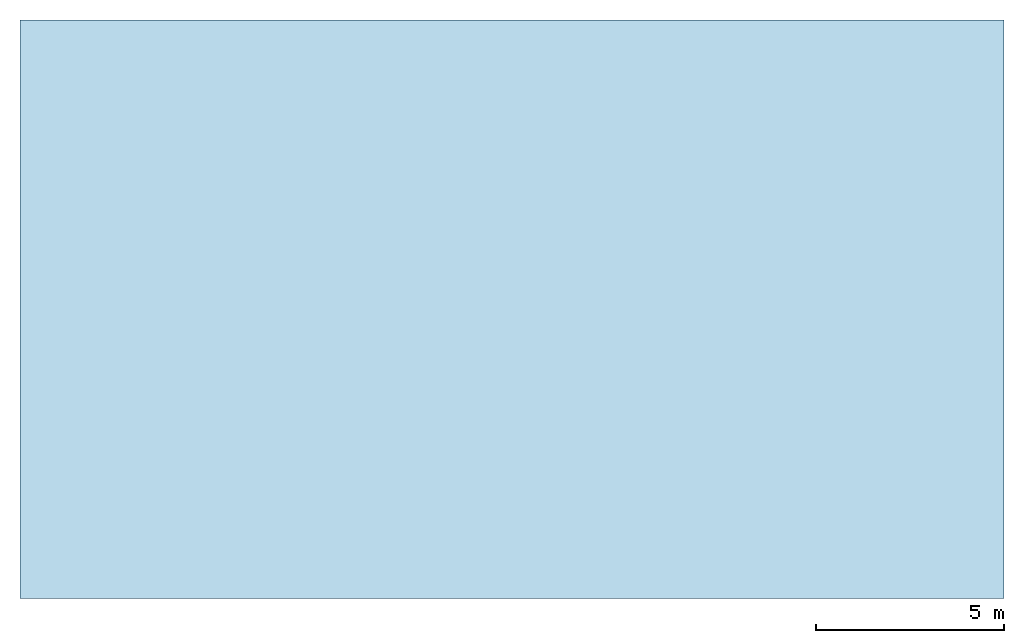
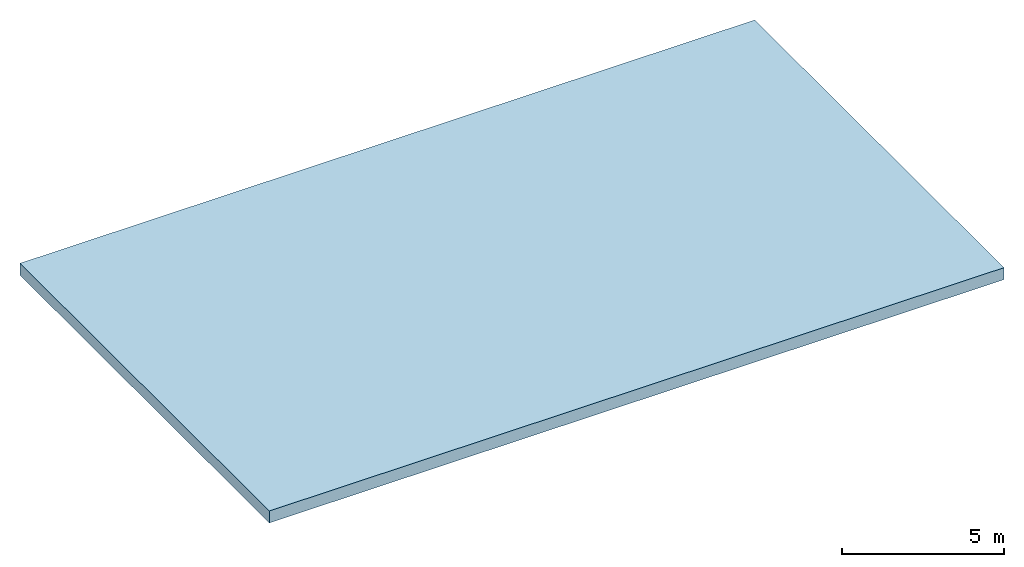
# One storey: 1 slab.
"""IFC4 building model written with IfcOpenShell, lengths in metres."""

from ifc_helpers import new_model, si_unit, direction, frame, origin, place, context, subcontext, project, spatial, polyline, outline, extrude, material, layer, layer_set, type_object, element, save


model = new_model("IFC4")

# Units and contexts
model_context = context("Model", 3, precision=1e-05, world=origin(), true_north=direction((0.0, 1.0)))
body_context = subcontext(model_context, "Body", "Model", "MODEL_VIEW")
ifc_project = project(units=[si_unit("LENGTHUNIT", "METRE"), si_unit("AREAUNIT", "SQUARE_METRE"), si_unit("VOLUMEUNIT", "CUBIC_METRE"), si_unit("PLANEANGLEUNIT", "RADIAN"), si_unit("MASSUNIT", "GRAM", prefix="KILO")], contexts=[model_context])

# Site, building, storey
site_placement = place(None, origin())
site = spatial("IfcSite", under=ifc_project, at=site_placement, CompositionType="ELEMENT")
building_placement = place(site_placement, origin())
building = spatial("IfcBuilding", under=site, at=building_placement, Name="Lantaw Convention Tower", CompositionType="ELEMENT")
storey_placement = place(building_placement, frame((0.0, 0.0, 296.39990234375)))
storey = spatial("IfcBuildingStorey", under=building, at=storey_placement, Name="ROOF", CompositionType="ELEMENT", Elevation=296.39990234375)

# Slab
ifc_material = material(Name="Concrete C35/45", Category="concrete")
ifc_layer = layer(ifc_material, 0.449951171875)
ifc_layer_set = layer_set([ifc_layer], Name="Core roof slab 450")
slab_type = type_object("IfcSlabType", Name="Core roof slab 450", PredefinedType="ROOF", material=ifc_layer_set)
slab_placement = place(storey_placement, origin())
element("IfcSlab", 1, at=slab_placement, inside=storey, type_object=slab_type, Name="Core roof slab", PredefinedType="ROOF", context=body_context, shape_type="SweptSolid", body=[
    extrude(outline(polyline([(-13.10009765625, -7.699951171875), (13.10009765625, -7.699951171875), (13.10009765625, 7.699951171875), (-13.10009765625, 7.699951171875), (-13.10009765625, -7.699951171875)])), origin(), (0.0, 0.0, 1.0), 0.4501953125),
])

save(model, "model.ifc")
